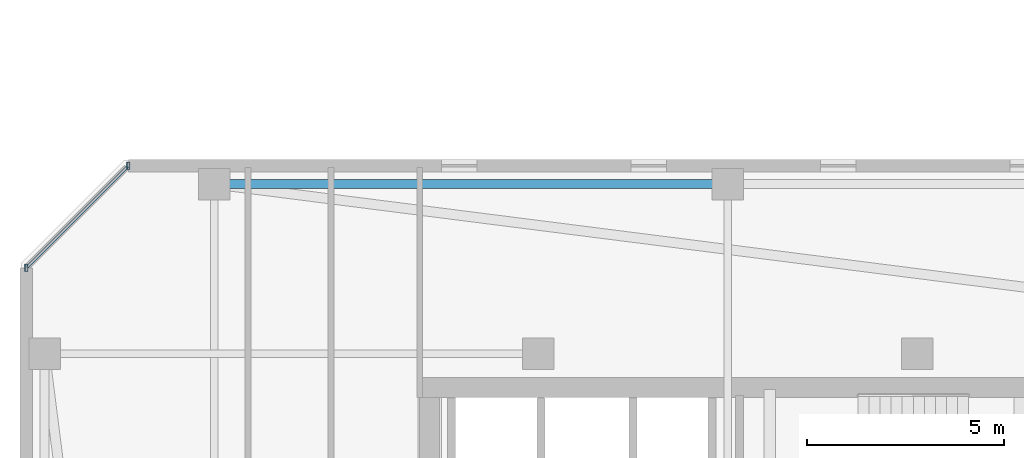
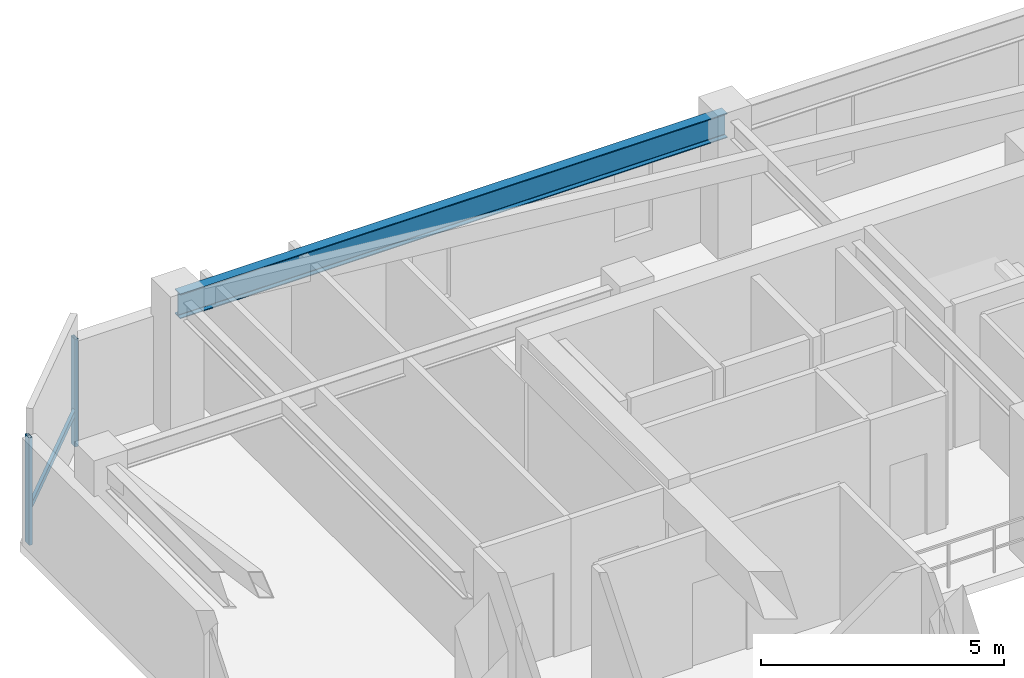
# One storey, part 10 of 35: 3 members, 1 beam, 1 element without a shape of its own.
"""IFC4 building model written with IfcOpenShell, lengths in metres."""

from ifc_helpers import new_model, si_unit, direction, frame, origin, origin_2d, place, context, subcontext, project, spatial, hollow_rectangle, i_section, extrude, material, material_profile, profile_set, type_object, element, aggregate, save


model = new_model("IFC4")

# Units and contexts
model_context = context("Model", 3, precision=1e-05, world=origin(), true_north=direction((0.0, 1.0)))
body_context = subcontext(model_context, "Body", "Model", "MODEL_VIEW")
ifc_project = project(units=[si_unit("LENGTHUNIT", "METRE"), si_unit("AREAUNIT", "SQUARE_METRE"), si_unit("VOLUMEUNIT", "CUBIC_METRE"), si_unit("PLANEANGLEUNIT", "RADIAN"), si_unit("MASSUNIT", "GRAM", prefix="KILO")], contexts=[model_context])

# Site, building, storey
site_placement = place(None, origin())
site = spatial("IfcSite", under=ifc_project, at=site_placement, CompositionType="ELEMENT")
building_placement = place(site_placement, origin())
building = spatial("IfcBuilding", under=site, at=building_placement, Name="Thornwick Lancets Civic Towers", CompositionType="ELEMENT")
storey_placement = place(building_placement, frame((0.0, 0.0, 265.5)))
storey = spatial("IfcBuildingStorey", under=building, at=storey_placement, Name="L71", CompositionType="ELEMENT", Elevation=265.5)

# Beam
ifc_material_1 = material(Name="Steel S355JR", Category="steel")
ifc_material_profile_1 = material_profile(ifc_material_1, i_section(OverallWidth=0.230224609375, OverallDepth=0.6171875, WebThickness=0.01318359375, FlangeThickness=0.022216796875, FilletRadius=0.0126953125, at=origin_2d()), Name="UKB 610x229x140")
ifc_profile_set_1 = profile_set([ifc_material_profile_1], Name="Steel S355JR")
beam_type = type_object("IfcBeamType", Name="BM_GIRD_610_140", PredefinedType="BEAM", material=ifc_profile_set_1)
beam_placement = place(storey_placement, frame((12.5, 44.300048828125, 3.051513671875), z_axis=(1.0, 0.0, 0.0), x_axis=(0.0, 1.0, 0.0)))
element("IfcBeam", 1, at=beam_placement, inside=storey, type_object=beam_type, Name="BM-SPINE-L71-A-6-7", PredefinedType="BEAM", context=body_context, shape_type="SweptSolid", body=[
    extrude(i_section(OverallWidth=0.230224609375, OverallDepth=0.6171875, WebThickness=0.01318359375, FlangeThickness=0.022216796875, FilletRadius=0.0126953125, at=origin_2d()), origin(), (0.0, 0.0, 1.0), 13.0),
])

# Curtain wall, members
ifc_material_2 = material(Name="High-zone chamfered-corner unitised glass curtain wall", Category="glass")
curtain_wall_type = type_object("IfcCurtainWallType", Name="CW_SYS_05", PredefinedType="NOTDEFINED", material=ifc_material_2)
curtain_wall_placement = place(storey_placement, origin())
curtain_wall = element("IfcCurtainWall", 2, at=curtain_wall_placement, inside=storey, type_object=curtain_wall_type, Name="L71 Curtain Wall CW-L71-A-E5", PredefinedType="NOTDEFINED")
ifc_material_3 = material(Name="Thermally broken bronze aluminium S355", Category="steel")
ifc_material_profile_2 = material_profile(ifc_material_3, hollow_rectangle(XDim=0.074951171875, YDim=0.179931640625, WallThickness=0.006103515625, at=origin_2d()), Name="RHS 180x75x6")
ifc_profile_set_2 = profile_set([ifc_material_profile_2], Name="Thermally broken bronze aluminium S355")
member_type_1 = type_object("IfcMemberType", Name="CW_MUL_180", PredefinedType="MULLION", material=ifc_profile_set_2)
member_1_placement = place(storey_placement, frame((10.318603515625, 44.7646484375, 0.0), z_axis=(0.0, 0.0, 1.0), x_axis=(1.0, 0.0, 0.0)))
member_1 = element("IfcMember", 3, at=member_1_placement, type_object=member_type_1, Name="CW-L71-A-E5 Mullion 0", PredefinedType="MULLION", context=body_context, shape_type="SweptSolid", body=[
    extrude(hollow_rectangle(XDim=0.074951171875, YDim=0.179931640625, WallThickness=0.006103515625, at=origin_2d()), origin(), (0.0, 0.0, 1.0), 2.699951171875),
])
member_2_placement = place(storey_placement, frame((7.7353515625, 42.181396484375, 0.0), z_axis=(0.0, 0.0, 1.0), x_axis=(1.0, 0.0, 0.0)))
member_2 = element("IfcMember", 4, at=member_2_placement, type_object=member_type_1, Name="CW-L71-A-E5 Mullion 1", PredefinedType="MULLION", context=body_context, shape_type="SweptSolid", body=[
    extrude(hollow_rectangle(XDim=0.074951171875, YDim=0.179931640625, WallThickness=0.006103515625, at=origin_2d()), origin(), (0.0, 0.0, 1.0), 2.699951171875),
])
ifc_material_profile_3 = material_profile(ifc_material_3, hollow_rectangle(XDim=0.074951171875, YDim=0.14990234375, WallThickness=0.0048828125, at=origin_2d()), Name="RHS 150x75x5")
ifc_profile_set_3 = profile_set([ifc_material_profile_3], Name="Thermally broken bronze aluminium S355")
member_type_2 = type_object("IfcMemberType", Name="CW_TRN_150", PredefinedType="USERDEFINED", material=ifc_profile_set_3)
member_3_placement = place(storey_placement, frame((10.304443359375, 44.75048828125, 0.85009765625), z_axis=(-0.707106781187, -0.707106781187, 0.0), x_axis=(0.707106781187, -0.707106781187, 0.0)))
member_3 = element("IfcMember", 5, at=member_3_placement, type_object=member_type_2, Name="CW-L71-A-E5 Transom 0", ObjectType="TRANSOM", PredefinedType="USERDEFINED", context=body_context, shape_type="SweptSolid", body=[
    extrude(hollow_rectangle(XDim=0.074951171875, YDim=0.14990234375, WallThickness=0.0048828125, at=origin_2d()), origin(), (0.0, 0.0, 1.0), 3.61328125),
])
aggregate(curtain_wall, [member_1, member_2, member_3])

save(model, "model.ifc")
